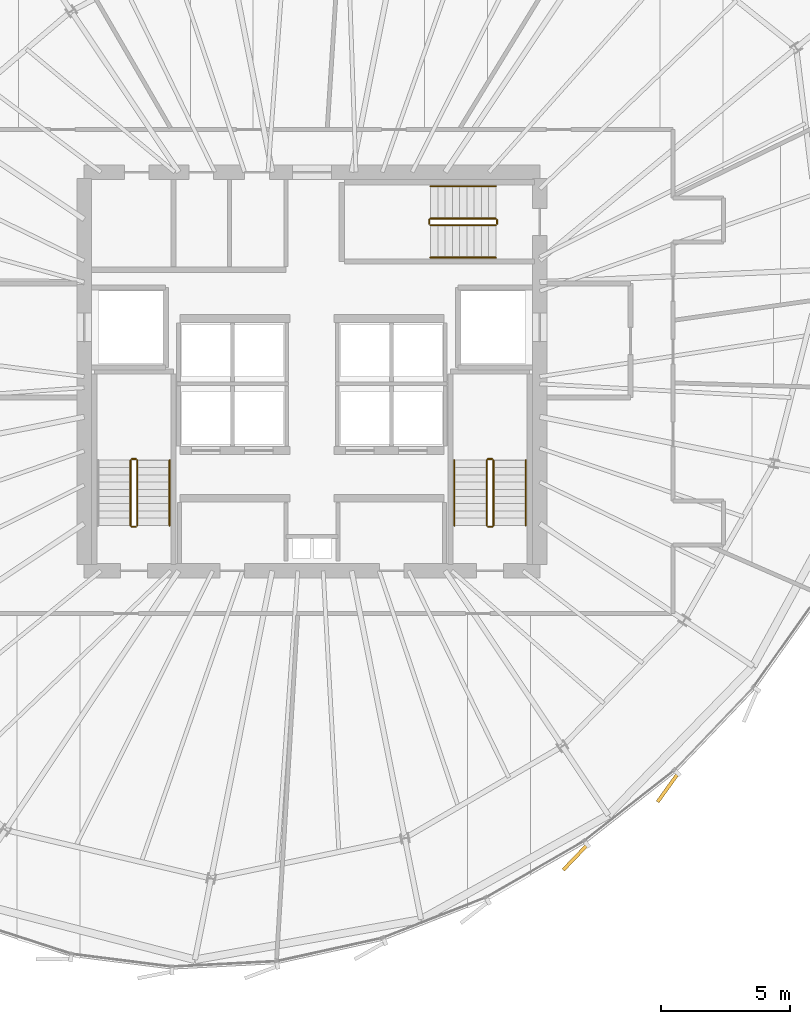
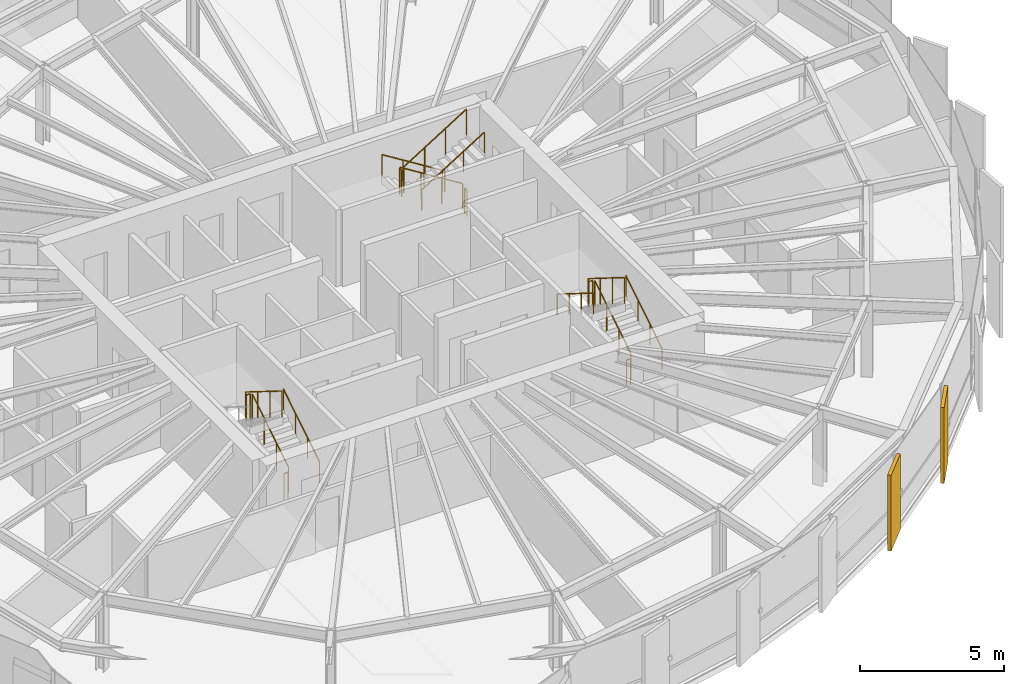
# One storey, part 34 of 35: 17 railings, 2 coverings.
"""IFC4 building model written with IfcOpenShell, lengths in metres."""

from ifc_helpers import new_model, si_unit, direction, frame, origin, origin_2d, place, context, subcontext, project, spatial, rectangle, circle, extrude, source, transform, mapped, material, layer, layer_set, type_object, element, save


model = new_model("IFC4")

# Units and contexts
model_context = context("Model", 3, precision=1e-05, world=origin(), true_north=direction((0.0, 1.0)))
body_context = subcontext(model_context, "Body", "Model", "MODEL_VIEW")
ifc_project = project(units=[si_unit("LENGTHUNIT", "METRE"), si_unit("AREAUNIT", "SQUARE_METRE"), si_unit("VOLUMEUNIT", "CUBIC_METRE"), si_unit("PLANEANGLEUNIT", "RADIAN"), si_unit("MASSUNIT", "GRAM", prefix="KILO"), si_unit("THERMODYNAMICTEMPERATUREUNIT", "KELVIN")], contexts=[model_context])

# Site, building, storey
site_placement = place(None, origin())
site = spatial("IfcSite", under=ifc_project, at=site_placement, CompositionType="ELEMENT")
building_placement = place(site_placement, origin())
building = spatial("IfcBuilding", under=site, at=building_placement, Name="Kethvar Cultural Tower", CompositionType="ELEMENT")
storey_placement = place(building_placement, frame((0.0, 0.0, 204.39990234375)))
storey = spatial("IfcBuildingStorey", under=building, at=storey_placement, Name="L53", CompositionType="ELEMENT", Elevation=204.39990234375)

# Railings
ifc_material_1 = material(Name="Steel S355J2", Category="steel")
railing_type_1 = type_object("IfcRailingType", Name="RL-STAIR-GUARD", PredefinedType="BALUSTRADE", material=ifc_material_1)
railing_1_placement = place(storey_placement, frame((40.050048828125, 21.85009765625, 0.175048828125)))
element("IfcRailing", 1, at=railing_1_placement, inside=storey, type_object=railing_type_1, Name="L53 ST-01 stair guard 1", PredefinedType="BALUSTRADE", context=body_context, shape_type="SweptSolid", body=[
    extrude(circle(Radius=0.02392578125, at=origin_2d()), frame((0.0, 0.0, 1.09619140625), z_axis=(0.0, 0.848007534815, 0.529984170421), x_axis=(-1.0, 0.0, 0.0)), (0.0, 0.0, 1.0), 2.9716796875),
    extrude(circle(Radius=0.02099609375, at=origin_2d()), origin(), (0.0, 0.0, 1.0), 1.072021484375),
    extrude(circle(Radius=0.02099609375, at=origin_2d()), frame((0.0, 0.840087890625, 0.52490234375)), (0.0, 0.0, 1.0), 1.072021484375),
    extrude(circle(Radius=0.02099609375, at=origin_2d()), frame((0.0, 1.679931640625, 1.050048828125)), (0.0, 0.0, 1.0), 1.072021484375),
    extrude(circle(Radius=0.02099609375, at=origin_2d()), frame((0.0, 2.52001953125, 1.574951171875)), (0.0, 0.0, 1.0), 1.072021484375),
])
railing_2_placement = place(storey_placement, frame((40.0, 24.419921875, 1.75)))
element("IfcRailing", 2, at=railing_2_placement, inside=storey, type_object=railing_type_1, Name="L53 ST-01 stair guard 2", PredefinedType="BALUSTRADE", context=body_context, shape_type="SweptSolid", body=[
    extrude(circle(Radius=0.02392578125, at=origin_2d()), frame((0.0, 0.0, 1.09619140625), z_axis=(-1.0, 0.0, 0.0), x_axis=(0.0, -1.0, 0.0)), (0.0, 0.0, 1.0), 0.159912109375),
    extrude(circle(Radius=0.02099609375, at=origin_2d()), origin(), (0.0, 0.0, 1.0), 1.072021484375),
    extrude(circle(Radius=0.02099609375, at=origin_2d()), frame((-0.159912109375, 0.0, 0.0)), (0.0, 0.0, 1.0), 1.072021484375),
])
railing_3_placement = place(storey_placement, frame((39.7900390625, 24.3701171875, 1.925048828125)))
element("IfcRailing", 3, at=railing_3_placement, inside=storey, type_object=railing_type_1, Name="L53 ST-01 stair guard 3", PredefinedType="BALUSTRADE", context=body_context, shape_type="SweptSolid", body=[
    extrude(circle(Radius=0.02392578125, at=origin_2d()), frame((0.0, 0.0, 1.09619140625), z_axis=(0.0, -0.848007534815, 0.529984170421), x_axis=(1.0, 0.0, 0.0)), (0.0, 0.0, 1.0), 2.9716796875),
    extrude(circle(Radius=0.02099609375, at=origin_2d()), origin(), (0.0, 0.0, 1.0), 1.072021484375),
    extrude(circle(Radius=0.02099609375, at=origin_2d()), frame((0.0, -0.840087890625, 0.52490234375)), (0.0, 0.0, 1.0), 1.072021484375),
    extrude(circle(Radius=0.02099609375, at=origin_2d()), frame((0.0, -1.679931640625, 1.050048828125)), (0.0, 0.0, 1.0), 1.072021484375),
    extrude(circle(Radius=0.02099609375, at=origin_2d()), frame((0.0, -2.52001953125, 1.574951171875)), (0.0, 0.0, 1.0), 1.072021484375),
])
railing_4_placement = place(storey_placement, frame((40.0, 21.800048828125, 0.0)))
element("IfcRailing", 4, at=railing_4_placement, inside=storey, type_object=railing_type_1, Name="L53 ST-01 stair guard 4", PredefinedType="BALUSTRADE", context=body_context, shape_type="SweptSolid", body=[
    extrude(circle(Radius=0.02392578125, at=origin_2d()), frame((0.0, 0.0, 1.09619140625), z_axis=(-1.0, 0.0, 0.0), x_axis=(0.0, -1.0, 0.0)), (0.0, 0.0, 1.0), 0.159912109375),
    extrude(circle(Radius=0.02099609375, at=origin_2d()), origin(), (0.0, 0.0, 1.0), 1.072021484375),
    extrude(circle(Radius=0.02099609375, at=origin_2d()), frame((-0.159912109375, 0.0, 0.0)), (0.0, 0.0, 1.0), 1.072021484375),
])
railing_5_placement = place(storey_placement, frame((53.81005859375, 21.85009765625, 0.175048828125)))
element("IfcRailing", 5, at=railing_5_placement, inside=storey, type_object=railing_type_1, Name="L53 ST-02 stair guard 1", PredefinedType="BALUSTRADE", context=body_context, shape_type="SweptSolid", body=[
    extrude(circle(Radius=0.02392578125, at=origin_2d()), frame((0.0, 0.0, 1.09619140625), z_axis=(0.0, 0.848007534815, 0.529984170421), x_axis=(-1.0, 0.0, 0.0)), (0.0, 0.0, 1.0), 2.9716796875),
    extrude(circle(Radius=0.02099609375, at=origin_2d()), origin(), (0.0, 0.0, 1.0), 1.072021484375),
    extrude(circle(Radius=0.02099609375, at=origin_2d()), frame((0.0, 0.840087890625, 0.52490234375)), (0.0, 0.0, 1.0), 1.072021484375),
    extrude(circle(Radius=0.02099609375, at=origin_2d()), frame((0.0, 1.679931640625, 1.050048828125)), (0.0, 0.0, 1.0), 1.072021484375),
    extrude(circle(Radius=0.02099609375, at=origin_2d()), frame((0.0, 2.52001953125, 1.574951171875)), (0.0, 0.0, 1.0), 1.072021484375),
])
railing_6_placement = place(storey_placement, frame((53.760009765625, 24.419921875, 1.75)))
element("IfcRailing", 6, at=railing_6_placement, inside=storey, type_object=railing_type_1, Name="L53 ST-02 stair guard 2", PredefinedType="BALUSTRADE", context=body_context, shape_type="SweptSolid", body=[
    extrude(circle(Radius=0.02392578125, at=origin_2d()), frame((0.0, 0.0, 1.09619140625), z_axis=(-1.0, 0.0, 0.0), x_axis=(0.0, -1.0, 0.0)), (0.0, 0.0, 1.0), 0.159912109375),
    extrude(circle(Radius=0.02099609375, at=origin_2d()), origin(), (0.0, 0.0, 1.0), 1.072021484375),
    extrude(circle(Radius=0.02099609375, at=origin_2d()), frame((-0.159912109375, 0.0, 0.0)), (0.0, 0.0, 1.0), 1.072021484375),
])
railing_7_placement = place(storey_placement, frame((53.550048828125, 24.3701171875, 1.925048828125)))
element("IfcRailing", 7, at=railing_7_placement, inside=storey, type_object=railing_type_1, Name="L53 ST-02 stair guard 3", PredefinedType="BALUSTRADE", context=body_context, shape_type="SweptSolid", body=[
    extrude(circle(Radius=0.02392578125, at=origin_2d()), frame((0.0, 0.0, 1.09619140625), z_axis=(0.0, -0.848007534815, 0.529984170421), x_axis=(1.0, 0.0, 0.0)), (0.0, 0.0, 1.0), 2.9716796875),
    extrude(circle(Radius=0.02099609375, at=origin_2d()), origin(), (0.0, 0.0, 1.0), 1.072021484375),
    extrude(circle(Radius=0.02099609375, at=origin_2d()), frame((0.0, -0.840087890625, 0.52490234375)), (0.0, 0.0, 1.0), 1.072021484375),
    extrude(circle(Radius=0.02099609375, at=origin_2d()), frame((0.0, -1.679931640625, 1.050048828125)), (0.0, 0.0, 1.0), 1.072021484375),
    extrude(circle(Radius=0.02099609375, at=origin_2d()), frame((0.0, -2.52001953125, 1.574951171875)), (0.0, 0.0, 1.0), 1.072021484375),
])
railing_8_placement = place(storey_placement, frame((53.760009765625, 21.800048828125, 0.0)))
element("IfcRailing", 8, at=railing_8_placement, inside=storey, type_object=railing_type_1, Name="L53 ST-02 stair guard 4", PredefinedType="BALUSTRADE", context=body_context, shape_type="SweptSolid", body=[
    extrude(circle(Radius=0.02392578125, at=origin_2d()), frame((0.0, 0.0, 1.09619140625), z_axis=(-1.0, 0.0, 0.0), x_axis=(0.0, -1.0, 0.0)), (0.0, 0.0, 1.0), 0.159912109375),
    extrude(circle(Radius=0.02099609375, at=origin_2d()), origin(), (0.0, 0.0, 1.0), 1.072021484375),
    extrude(circle(Radius=0.02099609375, at=origin_2d()), frame((-0.159912109375, 0.0, 0.0)), (0.0, 0.0, 1.0), 1.072021484375),
])
railing_9_placement = place(storey_placement, frame((53.89990234375, 33.7099609375, 0.175048828125)))
element("IfcRailing", 9, at=railing_9_placement, inside=storey, type_object=railing_type_1, Name="L53 ST-03 stair guard 1", PredefinedType="BALUSTRADE", context=body_context, shape_type="SweptSolid", body=[
    extrude(circle(Radius=0.02392578125, at=origin_2d()), frame((0.0, 0.0, 1.09619140625), z_axis=(-0.848007534815, 0.0, 0.529984170421), x_axis=(0.0, -1.0, 0.0)), (0.0, 0.0, 1.0), 2.9716796875),
    extrude(circle(Radius=0.02099609375, at=origin_2d()), origin(), (0.0, 0.0, 1.0), 1.072021484375),
    extrude(circle(Radius=0.02099609375, at=origin_2d()), frame((-0.840087890625, 0.0, 0.52490234375)), (0.0, 0.0, 1.0), 1.072021484375),
    extrude(circle(Radius=0.02099609375, at=origin_2d()), frame((-1.679931640625, 0.0, 1.050048828125)), (0.0, 0.0, 1.0), 1.072021484375),
    extrude(circle(Radius=0.02099609375, at=origin_2d()), frame((-2.52001953125, 0.0, 1.574951171875)), (0.0, 0.0, 1.0), 1.072021484375),
])
railing_10_placement = place(storey_placement, frame((51.330078125, 33.659912109375, 1.75)))
element("IfcRailing", 10, at=railing_10_placement, inside=storey, type_object=railing_type_1, Name="L53 ST-03 stair guard 2", PredefinedType="BALUSTRADE", context=body_context, shape_type="SweptSolid", body=[
    extrude(circle(Radius=0.02392578125, at=origin_2d()), frame((0.0, 0.0, 1.09619140625), z_axis=(0.0, -1.0, 0.0), x_axis=(1.0, 0.0, 0.0)), (0.0, 0.0, 1.0), 0.159912109375),
    extrude(circle(Radius=0.02099609375, at=origin_2d()), origin(), (0.0, 0.0, 1.0), 1.072021484375),
    extrude(circle(Radius=0.02099609375, at=origin_2d()), frame((0.0, -0.159912109375, 0.0)), (0.0, 0.0, 1.0), 1.072021484375),
])
railing_11_placement = place(storey_placement, frame((51.3798828125, 33.449951171875, 1.925048828125)))
element("IfcRailing", 11, at=railing_11_placement, inside=storey, type_object=railing_type_1, Name="L53 ST-03 stair guard 3", PredefinedType="BALUSTRADE", context=body_context, shape_type="SweptSolid", body=[
    extrude(circle(Radius=0.02392578125, at=origin_2d()), frame((0.0, 0.0, 1.09619140625), z_axis=(0.848007534815, 0.0, 0.529984170421), x_axis=(0.0, 1.0, 0.0)), (0.0, 0.0, 1.0), 2.9716796875),
    extrude(circle(Radius=0.02099609375, at=origin_2d()), origin(), (0.0, 0.0, 1.0), 1.072021484375),
    extrude(circle(Radius=0.02099609375, at=origin_2d()), frame((0.840087890625, 0.0, 0.52490234375)), (0.0, 0.0, 1.0), 1.072021484375),
    extrude(circle(Radius=0.02099609375, at=origin_2d()), frame((1.679931640625, 0.0, 1.050048828125)), (0.0, 0.0, 1.0), 1.072021484375),
    extrude(circle(Radius=0.02099609375, at=origin_2d()), frame((2.52001953125, 0.0, 1.574951171875)), (0.0, 0.0, 1.0), 1.072021484375),
])
railing_12_placement = place(storey_placement, frame((53.949951171875, 33.659912109375, 0.0)))
element("IfcRailing", 12, at=railing_12_placement, inside=storey, type_object=railing_type_1, Name="L53 ST-03 stair guard 4", PredefinedType="BALUSTRADE", context=body_context, shape_type="SweptSolid", body=[
    extrude(circle(Radius=0.02392578125, at=origin_2d()), frame((0.0, 0.0, 1.09619140625), z_axis=(0.0, -1.0, 0.0), x_axis=(1.0, 0.0, 0.0)), (0.0, 0.0, 1.0), 0.159912109375),
    extrude(circle(Radius=0.02099609375, at=origin_2d()), origin(), (0.0, 0.0, 1.0), 1.072021484375),
    extrude(circle(Radius=0.02099609375, at=origin_2d()), frame((0.0, -0.159912109375, 0.0)), (0.0, 0.0, 1.0), 1.072021484375),
])
railing_type_2 = type_object("IfcRailingType", Name="RL-STAIR-HANDRAIL", PredefinedType="HANDRAIL", material=ifc_material_1)
for number, where, name in (
    (13, (41.300048828125, 21.85009765625, 0.175048828125), "L53 ST-01 stair handrail 1"),
    (14, (55.06005859375, 21.85009765625, 0.175048828125), "L53 ST-02 stair handrail 1"),
):
    element("IfcRailing", number, at=place(storey_placement, frame(where)), inside=storey, type_object=railing_type_2, Name=name, PredefinedType="HANDRAIL", context=body_context, shape_type="SweptSolid", body=[
        extrude(circle(Radius=0.02392578125, at=origin_2d()), frame((0.0, 0.0, 0.8759765625), z_axis=(0.0, 0.848007534815, 0.529984170421), x_axis=(-1.0, 0.0, 0.0)), (0.0, 0.0, 1.0), 2.9716796875),
        extrude(circle(Radius=0.02099609375, at=origin_2d()), origin(), (0.0, 0.0, 1.0), 0.851806640625),
        extrude(circle(Radius=0.02099609375, at=origin_2d()), frame((0.0, 0.840087890625, 0.52490234375)), (0.0, 0.0, 1.0), 0.851806640625),
        extrude(circle(Radius=0.02099609375, at=origin_2d()), frame((0.0, 1.679931640625, 1.050048828125)), (0.0, 0.0, 1.0), 0.851806640625),
        extrude(circle(Radius=0.02099609375, at=origin_2d()), frame((0.0, 2.52001953125, 1.574951171875)), (0.0, 0.0, 1.0), 0.851806640625),
    ])
railing_13_placement = place(storey_placement, frame((52.300048828125, 24.3701171875, 1.925048828125)))
element("IfcRailing", 15, at=railing_13_placement, inside=storey, type_object=railing_type_2, Name="L53 ST-02 stair handrail 2", PredefinedType="HANDRAIL", context=body_context, shape_type="SweptSolid", body=[
    extrude(circle(Radius=0.02392578125, at=origin_2d()), frame((0.0, 0.0, 0.8759765625), z_axis=(0.0, -0.848007534815, 0.529984170421), x_axis=(1.0, 0.0, 0.0)), (0.0, 0.0, 1.0), 2.9716796875),
    extrude(circle(Radius=0.02099609375, at=origin_2d()), origin(), (0.0, 0.0, 1.0), 0.851806640625),
    extrude(circle(Radius=0.02099609375, at=origin_2d()), frame((0.0, -0.840087890625, 0.52490234375)), (0.0, 0.0, 1.0), 0.851806640625),
    extrude(circle(Radius=0.02099609375, at=origin_2d()), frame((0.0, -1.679931640625, 1.050048828125)), (0.0, 0.0, 1.0), 0.851806640625),
    extrude(circle(Radius=0.02099609375, at=origin_2d()), frame((0.0, -2.52001953125, 1.574951171875)), (0.0, 0.0, 1.0), 0.851806640625),
])
railing_14_placement = place(storey_placement, frame((53.89990234375, 34.9599609375, 0.175048828125)))
element("IfcRailing", 16, at=railing_14_placement, inside=storey, type_object=railing_type_2, Name="L53 ST-03 stair handrail 1", PredefinedType="HANDRAIL", context=body_context, shape_type="SweptSolid", body=[
    extrude(circle(Radius=0.02392578125, at=origin_2d()), frame((0.0, 0.0, 0.8759765625), z_axis=(-0.848007534815, 0.0, 0.529984170421), x_axis=(0.0, -1.0, 0.0)), (0.0, 0.0, 1.0), 2.9716796875),
    extrude(circle(Radius=0.02099609375, at=origin_2d()), origin(), (0.0, 0.0, 1.0), 0.851806640625),
    extrude(circle(Radius=0.02099609375, at=origin_2d()), frame((-0.840087890625, 0.0, 0.52490234375)), (0.0, 0.0, 1.0), 0.851806640625),
    extrude(circle(Radius=0.02099609375, at=origin_2d()), frame((-1.679931640625, 0.0, 1.050048828125)), (0.0, 0.0, 1.0), 0.851806640625),
    extrude(circle(Radius=0.02099609375, at=origin_2d()), frame((-2.52001953125, 0.0, 1.574951171875)), (0.0, 0.0, 1.0), 0.851806640625),
])
railing_15_placement = place(storey_placement, frame((51.3798828125, 32.199951171875, 1.925048828125)))
element("IfcRailing", 17, at=railing_15_placement, inside=storey, type_object=railing_type_2, Name="L53 ST-03 stair handrail 2", PredefinedType="HANDRAIL", context=body_context, shape_type="SweptSolid", body=[
    extrude(circle(Radius=0.02392578125, at=origin_2d()), frame((0.0, 0.0, 0.8759765625), z_axis=(0.848007534815, 0.0, 0.529984170421), x_axis=(0.0, 1.0, 0.0)), (0.0, 0.0, 1.0), 2.9716796875),
    extrude(circle(Radius=0.02099609375, at=origin_2d()), origin(), (0.0, 0.0, 1.0), 0.851806640625),
    extrude(circle(Radius=0.02099609375, at=origin_2d()), frame((0.840087890625, 0.0, 0.52490234375)), (0.0, 0.0, 1.0), 0.851806640625),
    extrude(circle(Radius=0.02099609375, at=origin_2d()), frame((1.679931640625, 0.0, 1.050048828125)), (0.0, 0.0, 1.0), 0.851806640625),
    extrude(circle(Radius=0.02099609375, at=origin_2d()), frame((2.52001953125, 0.0, 1.574951171875)), (0.0, 0.0, 1.0), 0.851806640625),
])

# Coverings
ifc_material_2 = material(Name="Extruded Architectural Terracotta", Category="masonry")
ifc_layer = layer(ifc_material_2, 0.135009765625, Name="Extruded Architectural Terracotta", Category="masonry")
ifc_layer_set = layer_set([ifc_layer], Name="Extruded Architectural Terracotta (135 mm)")
covering_type = type_object("IfcCoveringType", Name="Terracotta Facade Fin FIN-03", PredefinedType="CLADDING", material=ifc_layer_set)
shared_shape = source(origin(), body_context, "Body", "SweptSolid", [
    extrude(rectangle(XDim=1.35009765625, YDim=0.135009765625, at=origin_2d()), origin(), (0.0, 0.0, 1.0), 3.219970703125),
])
for number, where, z_axis, x_axis, name in (
    (18, (56.971435546875, 9.02734375, 0.02001953125), (0.0, 0.0, 1.0), (-0.69214317387, -0.721760228098, 0.0), "L53 Vertical Terracotta Fin 5.3"),
    (19, (60.546142578125, 11.72119140625, 0.02001953125), (0.0, 0.0, 1.0), (-0.582122970157, -0.813100761047, 0.0), "L53 Vertical Terracotta Fin 5.4"),
):
    element("IfcCovering", number, at=place(storey_placement, frame(where, z_axis=z_axis, x_axis=x_axis)), inside=storey, type_object=covering_type, Name=name, PredefinedType="CLADDING", context=body_context, shape_type="MappedRepresentation", body=[
        mapped(shared_shape, transform((0.0, 0.0, 0.0), scale=1.0)),
    ])

save(model, "model.ifc")
